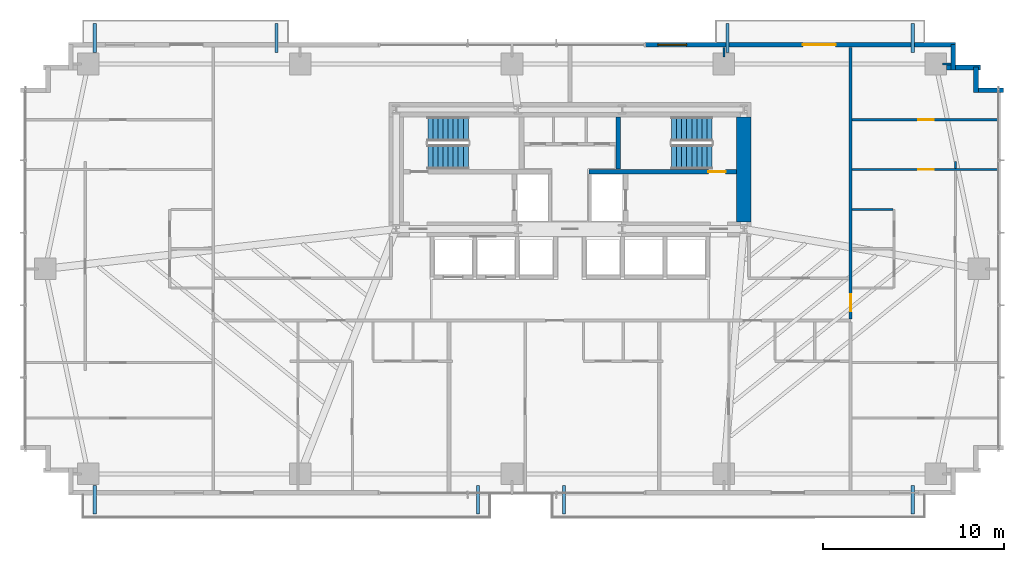
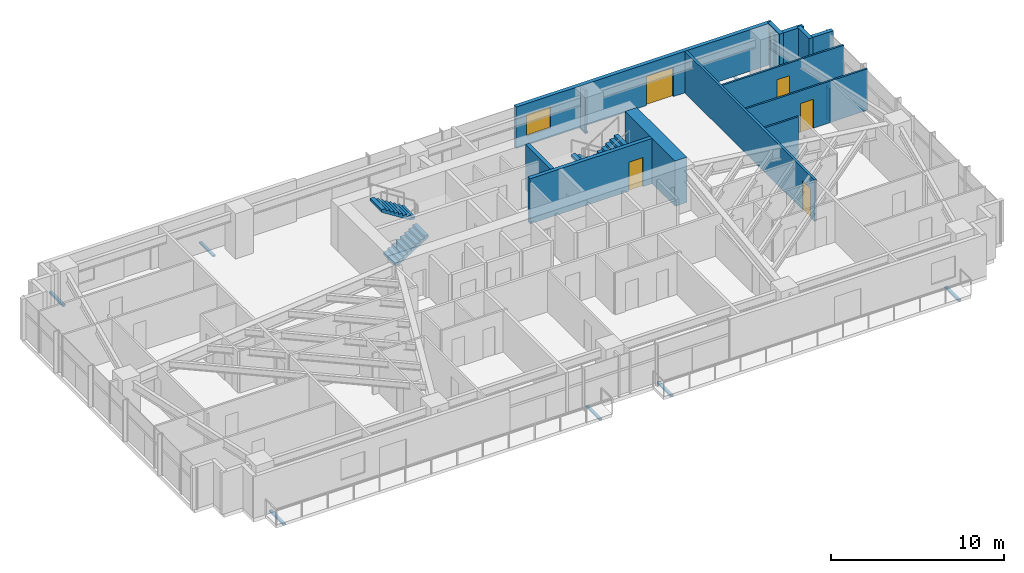
# One storey, part 22 of 25: 15 walls, 8 discrete accessories, 5 doors, 4 stair flights, 1 window, 6 openings, 2 elements without a shape of their own.
"""IFC4 building model written with IfcOpenShell, lengths in metres."""

from ifc_helpers import new_model, si_unit, direction, frame, frame_2d, origin, origin_2d, place, context, subcontext, project, spatial, polyline, rectangle, outline, extrude, source, transform, mapped, material, layer, layer_set, type_object, type_shapes, element, fill, aggregate, save


model = new_model("IFC4")

# Units and contexts
model_context = context("Model", 3, precision=1e-05, world=origin(), true_north=direction((0.0, 1.0)))
body_context = subcontext(model_context, "Body", "Model", "MODEL_VIEW")
ifc_project = project(units=[si_unit("LENGTHUNIT", "METRE"), si_unit("AREAUNIT", "SQUARE_METRE"), si_unit("VOLUMEUNIT", "CUBIC_METRE"), si_unit("PLANEANGLEUNIT", "RADIAN"), si_unit("MASSUNIT", "GRAM", prefix="KILO")], contexts=[model_context])

# Site, building, storey
site_placement = place(None, origin())
site = spatial("IfcSite", under=ifc_project, at=site_placement, CompositionType="ELEMENT")
building_placement = place(site_placement, origin())
building = spatial("IfcBuilding", under=site, at=building_placement, Name="Astriad Promenade Condominiums", CompositionType="ELEMENT")
storey_placement = place(building_placement, frame((0.0, 0.0, 55.0)))
storey = spatial("IfcBuildingStorey", under=building, at=storey_placement, Name="L15", CompositionType="ELEMENT", Elevation=55.0)

# Wall
ifc_material_1 = material(Name="Concrete C80/95", Category="concrete")
ifc_layer_1 = layer(ifc_material_1, 0.800048828125)
ifc_layer_set_1 = layer_set([ifc_layer_1], Name="Concrete C80/95")
wall_type_1 = type_object("IfcWallType", Name="CW-SHEAR-800", PredefinedType="SHEAR", material=ifc_layer_set_1)
wall_1_placement = place(storey_placement, frame((45.60009765625, 17.802001953125, 0.0), z_axis=(0.0, 0.0, 1.0), x_axis=(0.0, 1.0, 0.0)))
element("IfcWall", 1, at=wall_1_placement, inside=storey, type_object=wall_type_1, Name="CW-CORE-E-L15", PredefinedType="SHEAR", context=body_context, shape_type="SweptSolid", body=[
    extrude(rectangle(XDim=5.7958984375, YDim=0.800048828125, at=frame_2d((2.89794921875, 0.0))), origin(), (0.0, 0.0, 1.0), 3.199951171875),
])

# Wall, opening, door
ifc_material_2 = material(Name="Concrete C50/60", Category="concrete")
ifc_layer_2 = layer(ifc_material_2, 0.25)
ifc_layer_set_2 = layer_set([ifc_layer_2], Name="Concrete C50/60")
wall_type_2 = type_object("IfcWallType", Name="WALL-CORE-INT-250", PredefinedType="SOLIDWALL", material=ifc_layer_set_2)
wall_2_placement = place(storey_placement, frame((37.050048828125, 20.574951171875, 0.0), z_axis=(0.0, 0.0, 1.0), x_axis=(1.0, 0.0, 0.0)))
wall_2 = element("IfcWall", 2, at=wall_2_placement, inside=storey, type_object=wall_type_2, Name="CW-INT-H2-L15", PredefinedType="SOLIDWALL", context=body_context, shape_type="SweptSolid", body=[
    extrude(rectangle(XDim=8.14794921875, YDim=0.25, at=frame_2d((4.073974609375, 0.0))), origin(), (0.0, 0.0, 1.0), 3.199951171875),
])
opening_1_placement = place(wall_2_placement, frame((6.60009765625, 0.0, 0.0)))
opening_1 = element("IfcOpeningElement", 3, at=opening_1_placement, cuts=wall_2, Name="Opening FD90-ST-095", PredefinedType="OPENING", context=body_context, shape_type="SweptSolid", body=[
    extrude(rectangle(XDim=0.949951171875, YDim=2.06005859375, at=frame_2d((0.47509765625, 1.030029296875))), frame((0.0, 0.135009765625, 0.0), z_axis=(0.0, -1.0, 0.0), x_axis=(1.0, 0.0, 0.0)), (0.0, 0.0, 1.0), 0.27001953125),
])
ifc_material_3 = material(Name="Fire-Rated Hollow Metal Stair Door")
door_type_1 = type_object("IfcDoorType", Name="FD90-ST-095", OperationType="NOTDEFINED", PredefinedType="DOOR", material=ifc_material_3)
shared_shape_1 = source(origin(), body_context, "Body", "SweptSolid", [
    extrude(rectangle(XDim=0.949951171875, YDim=2.06005859375, at=frame_2d((0.47509765625, 1.030029296875))), frame((0.0, 0.02490234375, 0.0), z_axis=(0.0, -1.0, 0.0), x_axis=(1.0, 0.0, 0.0)), (0.0, 0.0, 1.0), 0.050048828125),
])
type_shapes(door_type_1, [shared_shape_1])
door_1_placement = place(opening_1_placement, origin())
door_1 = element("IfcDoor", 4, at=door_1_placement, inside=storey, type_object=door_type_1, Name="D-ST2-L15", OperationType="SINGLE_SWING_RIGHT", OverallHeight=2.06005859375, OverallWidth=0.949951171875, PredefinedType="DOOR", context=body_context, shape_type="MappedRepresentation", body=[
    mapped(shared_shape_1, transform((0.0, 0.0, 0.0), scale=1.0)),
])
fill(opening_1, door_1)

# Wall
wall_3_placement = place(storey_placement, frame((38.675048828125, 20.701904296875, 0.0), z_axis=(0.0, 0.0, 1.0), x_axis=(0.0, 1.0, 0.0)))
element("IfcWall", 5, at=wall_3_placement, inside=storey, type_object=wall_type_2, Name="CW-ST2-W-L15", PredefinedType="SOLIDWALL", context=body_context, shape_type="SweptSolid", body=[
    extrude(rectangle(XDim=2.89599609375, YDim=0.25, at=frame_2d((1.447998046875, 0.0))), origin(), (0.0, 0.0, 1.0), 3.199951171875),
])

# Wall, opening, door
ifc_material_4 = material(Name="Fire-Rated Gypsum Partition")
ifc_layer_3 = layer(ifc_material_4, 0.159912109375)
ifc_layer_set_3 = layer_set([ifc_layer_3], Name="Fire-Rated Gypsum Partition")
wall_type_3 = type_object("IfcWallType", Name="WALL-CORR-160", PredefinedType="PARTITIONING", material=ifc_layer_set_3)
wall_4_placement = place(storey_placement, frame((51.5, 12.431884765625, 0.0), z_axis=(0.0, 0.0, 1.0), x_axis=(0.0, 1.0, 0.0)))
wall_4 = element("IfcWall", 6, at=wall_4_placement, inside=storey, type_object=wall_type_3, Name="PT-COR-E-L15-S2", PredefinedType="PARTITIONING", context=body_context, shape_type="SweptSolid", body=[
    extrude(rectangle(XDim=15.006103515625, YDim=0.159912109375, at=frame_2d((7.5029296875, 0.0))), origin(), (0.0, 0.0, 1.0), 2.93994140625),
])
opening_2_placement = place(wall_4_placement, frame((0.428955078125, 0.0, 0.0)))
opening_2 = element("IfcOpeningElement", 7, at=opening_2_placement, cuts=wall_4, Name="Opening FD60-APT-095", PredefinedType="OPENING", context=body_context, shape_type="SweptSolid", body=[
    extrude(rectangle(XDim=0.949951171875, YDim=2.06005859375, at=frame_2d((0.47509765625, 1.030029296875))), frame((0.0, 0.08984375, 0.0), z_axis=(0.0, -1.0, 0.0), x_axis=(1.0, 0.0, 0.0)), (0.0, 0.0, 1.0), 0.179931640625),
])
ifc_material_5 = material(Name="Solid-Core Acoustic Timber Residence Entry Door", Category="wood")
door_type_2 = type_object("IfcDoorType", Name="FD60-APT-095", OperationType="NOTDEFINED", PredefinedType="DOOR", material=ifc_material_5)
shared_shape_2 = source(origin(), body_context, "Body", "SweptSolid", [
    extrude(rectangle(XDim=0.949951171875, YDim=2.06005859375, at=frame_2d((0.47509765625, 1.030029296875))), frame((0.0, 0.02490234375, 0.0), z_axis=(0.0, -1.0, 0.0), x_axis=(1.0, 0.0, 0.0)), (0.0, 0.0, 1.0), 0.050048828125),
])
type_shapes(door_type_2, [shared_shape_2])
door_2_placement = place(opening_2_placement, origin())
door_2 = element("IfcDoor", 8, at=door_2_placement, inside=storey, type_object=door_type_2, Name="D-ENT-L15-E1", OperationType="SINGLE_SWING_LEFT", OverallHeight=2.06005859375, OverallWidth=0.949951171875, PredefinedType="DOOR", context=body_context, shape_type="MappedRepresentation", body=[
    mapped(shared_shape_2, transform((0.0, 0.0, 0.0), scale=1.0)),
])
fill(opening_2, door_2)

# Wall, openings, door, window
ifc_material_6 = material(Name="Precast concrete C50/60", Category="concrete")
ifc_layer_4 = layer(ifc_material_6, 0.260009765625)
ifc_layer_set_4 = layer_set([ifc_layer_4], Name="Precast concrete C50/60")
wall_type_4 = type_object("IfcWallType", Name="WALL-EXT-TWR-260", PredefinedType="STANDARD", material=ifc_layer_set_4)
wall_5_placement = place(storey_placement, frame((40.14990234375, 27.570068359375, 0.0), z_axis=(0.0, 0.0, 1.0), x_axis=(1.0, 0.0, 0.0)))
wall_5 = element("IfcWall", 9, at=wall_5_placement, inside=storey, type_object=wall_type_4, Name="W-EXT-L15-N2", PredefinedType="STANDARD", context=body_context, shape_type="SweptSolid", body=[
    extrude(rectangle(XDim=17.150146484375, YDim=0.260009765625, at=frame_2d((8.5751953125, 0.0))), origin(), (0.0, 0.0, 1.0), 2.93994140625),
])
opening_3_placement = place(wall_5_placement, frame((8.719970703125, 0.0, 0.0)))
opening_3 = element("IfcOpeningElement", 10, at=opening_3_placement, cuts=wall_5, Name="Opening BD-1822-SLD", PredefinedType="OPENING", context=body_context, shape_type="SweptSolid", body=[
    extrude(rectangle(XDim=1.800048828125, YDim=2.06005859375, at=frame_2d((0.89990234375, 1.030029296875))), frame((0.0, 0.139892578125, 0.0), z_axis=(0.0, -1.0, 0.0), x_axis=(1.0, 0.0, 0.0)), (0.0, 0.0, 1.0), 0.280029296875),
])
opening_4_placement = place(wall_5_placement, frame((0.699951171875, 0.0, 0.64990234375)))
opening_4 = element("IfcOpeningElement", 11, at=opening_4_placement, cuts=wall_5, Name="Opening WIN-TWR-1620", PredefinedType="OPENING", context=body_context, shape_type="SweptSolid", body=[
    extrude(rectangle(XDim=1.60009765625, YDim=1.5, at=frame_2d((0.800048828125, 0.75))), frame((0.0, 0.139892578125, 0.0), z_axis=(0.0, -1.0, 0.0), x_axis=(1.0, 0.0, 0.0)), (0.0, 0.0, 1.0), 0.280029296875),
])
ifc_material_7 = material(Name="Thermally Broken Aluminium Sliding Balcony Door", Category="aluminium")
door_type_3 = type_object("IfcDoorType", Name="BD-1822-SLD", OperationType="NOTDEFINED", PredefinedType="DOOR", material=ifc_material_7)
shared_shape_3 = source(origin(), body_context, "Body", "SweptSolid", [
    extrude(rectangle(XDim=1.800048828125, YDim=2.06005859375, at=frame_2d((0.89990234375, 1.030029296875))), frame((0.0, 0.02490234375, 0.0), z_axis=(0.0, -1.0, 0.0), x_axis=(1.0, 0.0, 0.0)), (0.0, 0.0, 1.0), 0.050048828125),
])
type_shapes(door_type_3, [shared_shape_3])
door_3_placement = place(opening_3_placement, origin())
door_3 = element("IfcDoor", 12, at=door_3_placement, inside=storey, type_object=door_type_3, Name="BD-L15-NE", OperationType="SLIDING_TO_RIGHT", OverallHeight=2.06005859375, OverallWidth=1.800048828125, PredefinedType="DOOR", context=body_context, shape_type="MappedRepresentation", body=[
    mapped(shared_shape_3, transform((0.0, 0.0, 0.0), scale=1.0)),
])
fill(opening_3, door_3)
ifc_material_8 = material(Name="Dark Tinted Triple-Glazed Aluminium Window", Category="aluminium")
window_type = type_object("IfcWindowType", Name="WIN-TWR-1620", PartitioningType="SINGLE_PANEL", PredefinedType="WINDOW", material=ifc_material_8)
shared_shape_4 = source(origin(), body_context, "Body", "SweptSolid", [
    extrude(rectangle(XDim=1.60009765625, YDim=1.5, at=frame_2d((0.800048828125, 0.75))), frame((0.0, 0.030029296875, 0.0), z_axis=(0.0, -1.0, 0.0), x_axis=(1.0, 0.0, 0.0)), (0.0, 0.0, 1.0), 0.06005859375),
])
type_shapes(window_type, [shared_shape_4])
window_placement = place(opening_4_placement, origin())
window = element("IfcWindow", 13, at=window_placement, inside=storey, type_object=window_type, Name="WIN-L15-NE", OverallHeight=1.5, OverallWidth=1.60009765625, PartitioningType="SINGLE_PANEL", PredefinedType="WINDOW", context=body_context, shape_type="MappedRepresentation", body=[
    mapped(shared_shape_4, transform((0.0, 0.0, 0.0), scale=1.0)),
])
fill(opening_4, window)

# Walls
wall_6_placement = place(storey_placement, frame((57.169921875, 27.5849609375, 0.0), z_axis=(0.0, 0.0, 1.0), x_axis=(0.0, -1.0, 0.0)))
element("IfcWall", 14, at=wall_6_placement, inside=storey, type_object=wall_type_4, Name="W-SER-L15-09", PredefinedType="STANDARD", context=body_context, shape_type="SweptSolid", body=[
    extrude(rectangle(XDim=1.39501953125, YDim=0.260009765625, at=frame_2d((0.697509765625, 0.0))), origin(), (0.0, 0.0, 1.0), 2.93994140625),
])
wall_7_placement = place(storey_placement, frame((56.802001953125, 26.320068359375, 0.0), z_axis=(0.0, 0.0, 1.0), x_axis=(1.0, 0.0, 0.0)))
element("IfcWall", 15, at=wall_7_placement, inside=storey, type_object=wall_type_4, Name="W-SER-L15-10", PredefinedType="STANDARD", context=body_context, shape_type="SweptSolid", body=[
    extrude(rectangle(XDim=1.8779296875, YDim=0.260009765625, at=frame_2d((0.93896484375, 0.0))), origin(), (0.0, 0.0, 1.0), 2.93994140625),
])
for number, where, z_axis, x_axis, name in (
    (16, (58.419921875, 26.3349609375, 0.0), (0.0, 0.0, 1.0), (0.0, -1.0, 0.0), "W-SER-L15-11"),
    (17, (58.534912109375, 25.070068359375, 0.0), (0.0, 0.0, 1.0), (1.0, 0.0, 0.0), "W-SER-L15-12"),
):
    element("IfcWall", number, at=place(storey_placement, frame(where, z_axis=z_axis, x_axis=x_axis)), inside=storey, type_object=wall_type_4, Name=name, PredefinedType="STANDARD", context=body_context, shape_type="SweptSolid", body=[
        extrude(rectangle(XDim=1.39501953125, YDim=0.260009765625, at=frame_2d((0.697509765625, 0.0))), origin(), (0.0, 0.0, 1.0), 2.93994140625),
    ])
ifc_material_9 = material(Name="Acoustic Metal-Stud Gypsum Partition")
ifc_layer_5 = layer(ifc_material_9, 0.1201171875)
ifc_layer_set_5 = layer_set([ifc_layer_5], Name="Acoustic Metal-Stud Gypsum Partition")
wall_type_5 = type_object("IfcWallType", Name="WALL-PART-120", PredefinedType="PARTITIONING", material=ifc_layer_set_5)
wall_8_placement = place(storey_placement, frame((51.58203125, 18.486083984375, 0.0), z_axis=(0.0, 0.0, 1.0), x_axis=(1.0, 0.0, 0.0)))
element("IfcWall", 18, at=wall_8_placement, inside=storey, type_object=wall_type_5, Name="PT-L15-E1-PN", PredefinedType="PARTITIONING", context=body_context, shape_type="SweptSolid", body=[
    extrude(rectangle(XDim=2.255859375, YDim=0.1201171875, at=frame_2d((1.1279296875, 0.0))), origin(), (0.0, 0.0, 1.0), 2.93994140625),
])

# Wall, opening, door
wall_9_placement = place(storey_placement, frame((51.58203125, 23.43994140625, 0.0), z_axis=(0.0, 0.0, 1.0), x_axis=(1.0, 0.0, 0.0)))
wall_9 = element("IfcWall", 19, at=wall_9_placement, inside=storey, type_object=wall_type_5, Name="PT-L15-E1-WDN2", PredefinedType="PARTITIONING", context=body_context, shape_type="SweptSolid", body=[
    extrude(rectangle(XDim=8.137939453125, YDim=0.1201171875, at=frame_2d((4.06884765625, 0.0))), origin(), (0.0, 0.0, 1.0), 2.93994140625),
])
opening_5_placement = place(wall_9_placement, frame((3.653076171875, 0.0, 0.0)))
opening_5 = element("IfcOpeningElement", 20, at=opening_5_placement, cuts=wall_9, Name="Opening D-INT-085", PredefinedType="OPENING", context=body_context, shape_type="SweptSolid", body=[
    extrude(rectangle(XDim=0.85009765625, YDim=2.050048828125, at=frame_2d((0.425048828125, 1.02490234375))), frame((0.0, 0.070068359375, 0.0), z_axis=(0.0, -1.0, 0.0), x_axis=(1.0, 0.0, 0.0)), (0.0, 0.0, 1.0), 0.14013671875),
])
ifc_material_10 = material(Name="Painted Solid-Core Timber Room Door", Category="wood")
door_type_4 = type_object("IfcDoorType", Name="D-INT-085", OperationType="NOTDEFINED", PredefinedType="DOOR", material=ifc_material_10)
shared_shape_5 = source(origin(), body_context, "Body", "SweptSolid", [
    extrude(rectangle(XDim=0.85009765625, YDim=2.050048828125, at=frame_2d((0.425048828125, 1.02490234375))), frame((0.0, 0.02490234375, 0.0), z_axis=(0.0, -1.0, 0.0), x_axis=(1.0, 0.0, 0.0)), (0.0, 0.0, 1.0), 0.050048828125),
])
type_shapes(door_type_4, [shared_shape_5])
door_4_placement = place(opening_5_placement, origin())
door_4 = element("IfcDoor", 21, at=door_4_placement, inside=storey, type_object=door_type_4, Name="D-WDN2-L15-E1", OperationType="SINGLE_SWING_LEFT", OverallHeight=2.050048828125, OverallWidth=0.85009765625, PredefinedType="DOOR", context=body_context, shape_type="MappedRepresentation", body=[
    mapped(shared_shape_5, transform((0.0, 0.0, 0.0), scale=1.0)),
])
fill(opening_5, door_4)

wall_10_placement = place(storey_placement, frame((51.58203125, 20.68798828125, 0.0), z_axis=(0.0, 0.0, 1.0), x_axis=(1.0, 0.0, 0.0)))
wall_10 = element("IfcWall", 22, at=wall_10_placement, inside=storey, type_object=wall_type_5, Name="PT-L15-E1-WDN4", PredefinedType="PARTITIONING", context=body_context, shape_type="SweptSolid", body=[
    extrude(rectangle(XDim=8.137939453125, YDim=0.1201171875, at=frame_2d((4.06884765625, 0.0))), origin(), (0.0, 0.0, 1.0), 2.93994140625),
])
opening_6_placement = place(wall_10_placement, frame((3.653076171875, 0.0, 0.0)))
opening_6 = element("IfcOpeningElement", 23, at=opening_6_placement, cuts=wall_10, Name="Opening D-INT-085", PredefinedType="OPENING", context=body_context, shape_type="SweptSolid", body=[
    extrude(rectangle(XDim=0.85009765625, YDim=2.050048828125, at=frame_2d((0.425048828125, 1.02490234375))), frame((0.0, 0.070068359375, 0.0), z_axis=(0.0, -1.0, 0.0), x_axis=(1.0, 0.0, 0.0)), (0.0, 0.0, 1.0), 0.14013671875),
])
door_5_placement = place(opening_6_placement, origin())
door_5 = element("IfcDoor", 24, at=door_5_placement, inside=storey, type_object=door_type_4, Name="D-WDN4-L15-E1", OperationType="SINGLE_SWING_LEFT", OverallHeight=2.050048828125, OverallWidth=0.85009765625, PredefinedType="DOOR", context=body_context, shape_type="MappedRepresentation", body=[
    mapped(shared_shape_5, transform((0.0, 0.0, 0.0), scale=1.0)),
])
fill(opening_6, door_5)

# Walls
wall_11_placement = place(storey_placement, frame((57.287109375, 20.75, 0.0), z_axis=(0.0, 0.0, 1.0), x_axis=(0.0, 1.0, 0.0)))
element("IfcWall", 25, at=wall_11_placement, inside=storey, type_object=wall_type_5, Name="PT-L15-E1-WDV5-S3", PredefinedType="PARTITIONING", context=body_context, shape_type="SweptSolid", body=[
    extrude(rectangle(XDim=0.3779296875, YDim=0.1201171875, at=frame_2d((0.18896484375, 0.0))), origin(), (0.0, 0.0, 1.0), 2.309814453125),
])
wall_12_placement = place(storey_placement, frame((44.5, 26.89990234375, 0.0), z_axis=(0.0, 0.0, 1.0), x_axis=(0.0, 1.0, 0.0)))
element("IfcWall", 26, at=wall_12_placement, inside=storey, type_object=wall_type_5, Name="PT-PIL-L15-PC09-16", PredefinedType="PARTITIONING", context=body_context, shape_type="SweptSolid", body=[
    extrude(rectangle(XDim=0.5380859375, YDim=0.1201171875, at=frame_2d((0.26904296875, 0.0))), origin(), (0.0, 0.0, 1.0), 2.93994140625),
])
wall_13_placement = place(storey_placement, frame((56.580078125, 26.52001953125, 0.0), z_axis=(0.0, 0.0, 1.0), x_axis=(1.0, 0.0, 0.0)))
element("IfcWall", 27, at=wall_13_placement, inside=storey, type_object=wall_type_5, Name="PT-PIL-L15-PC10-17", PredefinedType="PARTITIONING", context=body_context, shape_type="SweptSolid", body=[
    extrude(rectangle(XDim=0.4580078125, YDim=0.1201171875, at=frame_2d((0.22900390625, 0.0))), origin(), (0.0, 0.0, 1.0), 2.93994140625),
])

# Stair, stair flights
stair_type = type_object("IfcStairType", Name="STR-CORE-1350", PredefinedType="HALF_TURN_STAIR", material=ifc_material_2)
stair_1_placement = place(storey_placement, origin())
stair_1 = element("IfcStair", 28, at=stair_1_placement, inside=storey, type_object=stair_type, Name="L15 Enclosed Core Exit Stair ST-1", PredefinedType="HALF_TURN_STAIR")
stair_flight_type = type_object("IfcStairFlightType", Name="SFL-CORE-1350", PredefinedType="STRAIGHT", material=ifc_material_2)
shared_shape_6 = source(origin(), body_context, "Body", "SweptSolid", [
    extrude(outline(polyline([(0.0, 0.0), (0.0, 0.177734375), (0.280029296875, 0.177734375), (0.280029296875, 0.35546875), (0.56005859375, 0.35546875), (0.56005859375, 0.533447265625), (0.840087890625, 0.533447265625), (0.840087890625, 0.711181640625), (1.1201171875, 0.711181640625), (1.1201171875, 0.888916015625), (1.39990234375, 0.888916015625), (1.39990234375, 1.066650390625), (1.679931640625, 1.066650390625), (1.679931640625, 1.244384765625), (1.9599609375, 1.244384765625), (1.9599609375, 1.422119140625), (2.239990234375, 1.422119140625), (2.239990234375, 1.60009765625), (2.239990234375, 1.24462890625), (0.27978515625, 0.0), (0.0, 0.0)])), frame((0.0, 0.675048828125, 0.0), z_axis=(0.0, -1.0, 0.0), x_axis=(1.0, 0.0, 0.0)), (0.0, 0.0, 1.0), 1.35009765625),
])
type_shapes(stair_flight_type, [shared_shape_6])
stair_flight_1_placement = place(storey_placement, frame((28.14990234375, 21.375, 0.0), z_axis=(0.0, 0.0, 1.0), x_axis=(1.0, 0.0, 0.0)))
stair_flight_1 = element("IfcStairFlight", 29, at=stair_flight_1_placement, type_object=stair_flight_type, Name="ST-1 flight 1", NumberOfRisers=9, NumberOfTreads=8, PredefinedType="STRAIGHT", RiserHeight=0.177777778, TreadLength=0.28, context=body_context, shape_type="MappedRepresentation", body=[
    mapped(shared_shape_6, transform((0.0, 0.0, 0.0), scale=1.0)),
])
stair_flight_2_placement = place(storey_placement, frame((30.389892578125, 22.925048828125, 1.60009765625), z_axis=(0.0, 0.0, 1.0), x_axis=(-1.0, 0.0, 0.0)))
stair_flight_2 = element("IfcStairFlight", 30, at=stair_flight_2_placement, type_object=stair_flight_type, Name="ST-1 flight 2", NumberOfRisers=9, NumberOfTreads=8, PredefinedType="STRAIGHT", RiserHeight=0.177777778, TreadLength=0.28, context=body_context, shape_type="MappedRepresentation", body=[
    mapped(shared_shape_6, transform((0.0, 0.0, 0.0), scale=1.0)),
])
aggregate(stair_1, [stair_flight_1, stair_flight_2])

stair_2_placement = place(storey_placement, origin())
stair_2 = element("IfcStair", 31, at=stair_2_placement, inside=storey, type_object=stair_type, Name="L15 Enclosed Core Exit Stair ST-2", PredefinedType="HALF_TURN_STAIR")
stair_flight_3_placement = place(storey_placement, frame((43.85009765625, 22.925048828125, 0.0), z_axis=(0.0, 0.0, 1.0), x_axis=(-1.0, 0.0, 0.0)))
stair_flight_3 = element("IfcStairFlight", 32, at=stair_flight_3_placement, type_object=stair_flight_type, Name="ST-2 flight 1", NumberOfRisers=9, NumberOfTreads=8, PredefinedType="STRAIGHT", RiserHeight=0.177777778, TreadLength=0.28, context=body_context, shape_type="MappedRepresentation", body=[
    mapped(shared_shape_6, transform((0.0, 0.0, 0.0), scale=1.0)),
])
stair_flight_4_placement = place(storey_placement, frame((41.610107421875, 21.375, 1.60009765625), z_axis=(0.0, 0.0, 1.0), x_axis=(1.0, 0.0, 0.0)))
stair_flight_4 = element("IfcStairFlight", 33, at=stair_flight_4_placement, type_object=stair_flight_type, Name="ST-2 flight 2", NumberOfRisers=9, NumberOfTreads=8, PredefinedType="STRAIGHT", RiserHeight=0.177777778, TreadLength=0.28, context=body_context, shape_type="MappedRepresentation", body=[
    mapped(shared_shape_6, transform((0.0, 0.0, 0.0), scale=1.0)),
])
aggregate(stair_2, [stair_flight_3, stair_flight_4])

# Discrete accessories
ifc_material_11 = material(Name="Steel ASTM A572 Grade 50", Category="steel")
discrete_accessory_type = type_object("IfcDiscreteAccessoryType", Name="STEEL BALCONY OUTRIGGER BRACKET", PredefinedType="BRACKET", material=ifc_material_11)
shared_shape_7 = source(origin(), body_context, "Body", "SweptSolid", [
    extrude(rectangle(XDim=1.60009765625, YDim=0.179931640625, at=origin_2d()), origin(), (0.0, 0.0, 1.0), 0.1220703125),
])
type_shapes(discrete_accessory_type, [shared_shape_7])
for number, where, z_axis, x_axis, name in (
    (34, (9.756103515625, 2.449951171875, -0.340087890625), (0.0, 0.0, 1.0), (0.0, -1.0, 0.0), "Balcony Outrigger Bracket BAL-L15-SW-A"),
    (35, (30.91796875, 2.449951171875, -0.340087890625), (0.0, 0.0, 1.0), (0.0, -1.0, 0.0), "Balcony Outrigger Bracket BAL-L15-SW-B"),
    (36, (35.677001953125, 2.449951171875, -0.340087890625), (0.0, 0.0, 1.0), (0.0, -1.0, 0.0), "Balcony Outrigger Bracket BAL-L15-SE-A"),
    (37, (54.927978515625, 2.449951171875, -0.340087890625), (0.0, 0.0, 1.0), (0.0, -1.0, 0.0), "Balcony Outrigger Bracket BAL-L15-SE-B"),
    (38, (9.756103515625, 27.949951171875, -0.340087890625), (0.0, 0.0, 1.0), (0.0, 1.0, 0.0), "Balcony Outrigger Bracket BAL-L15-NW-A"),
    (39, (19.7900390625, 27.949951171875, -0.340087890625), (0.0, 0.0, 1.0), (0.0, 1.0, 0.0), "Balcony Outrigger Bracket BAL-L15-NW-B"),
    (40, (44.699951171875, 27.949951171875, -0.340087890625), (0.0, 0.0, 1.0), (0.0, 1.0, 0.0), "Balcony Outrigger Bracket BAL-L15-NE-A"),
    (41, (54.927978515625, 27.949951171875, -0.340087890625), (0.0, 0.0, 1.0), (0.0, 1.0, 0.0), "Balcony Outrigger Bracket BAL-L15-NE-B"),
):
    element("IfcDiscreteAccessory", number, at=place(storey_placement, frame(where, z_axis=z_axis, x_axis=x_axis)), inside=storey, type_object=discrete_accessory_type, Name=name, PredefinedType="BRACKET", context=body_context, shape_type="MappedRepresentation", body=[
        mapped(shared_shape_7, transform((0.0, 0.0, 0.0), scale=1.0)),
    ])

save(model, "model.ifc")
